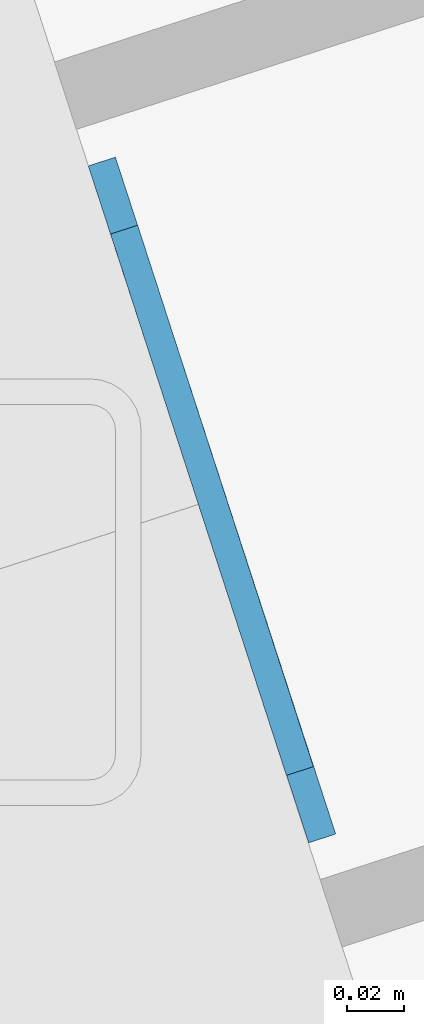
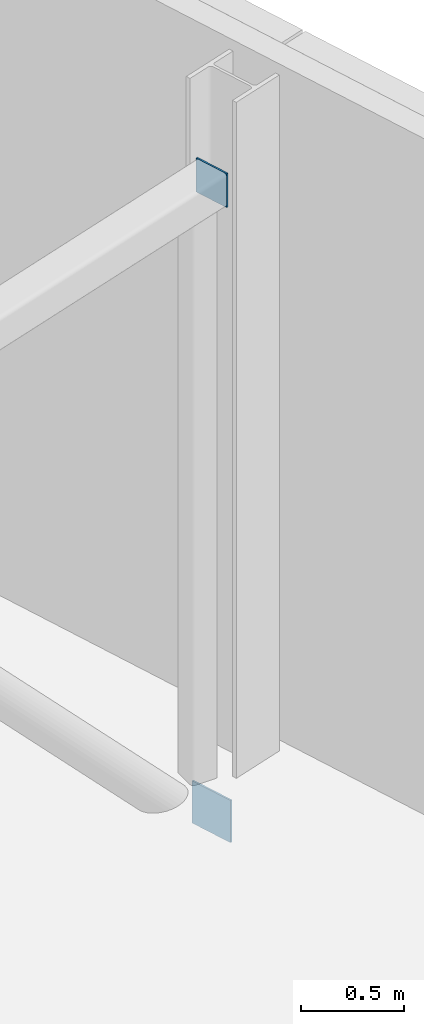
# One storey, part 43 of 52: 2 plates.
"""IFC4 building model written with IfcOpenShell, lengths in metres."""

from ifc_helpers import new_model, si_unit, direction, frame, origin, place, context, subcontext, project, spatial, polyline, outline, extrude, material, layer, layer_set, type_object, element, save


model = new_model("IFC4")

# Units and contexts
model_context = context("Model", 3, precision=1e-05, world=origin(), true_north=direction((0.0, 1.0)))
body_context = subcontext(model_context, "Body", "Model", "MODEL_VIEW")
ifc_project = project(units=[si_unit("LENGTHUNIT", "METRE"), si_unit("AREAUNIT", "SQUARE_METRE"), si_unit("VOLUMEUNIT", "CUBIC_METRE"), si_unit("PLANEANGLEUNIT", "RADIAN"), si_unit("MASSUNIT", "GRAM", prefix="KILO")], contexts=[model_context])

# Site, building, storey
site_placement = place(None, origin())
site = spatial("IfcSite", under=ifc_project, at=site_placement, CompositionType="ELEMENT")
building_placement = place(site_placement, origin())
building = spatial("IfcBuilding", under=site, at=building_placement, Name="Tuart Plaza Theatre", CompositionType="ELEMENT")
storey_placement = place(building_placement, frame((0.0, 0.0, 25.5)))
storey = spatial("IfcBuildingStorey", under=building, at=storey_placement, Name="L06", CompositionType="ELEMENT", Elevation=25.5)

# Plates
ifc_material = material(Name="Steel Grade C350L0", Category="steel")
ifc_layer = layer(ifc_material, 0.010009765625)
ifc_layer_set = layer_set([ifc_layer], Name="PLATE End cap 10 Steel Grade C350L0")
plate_type = type_object("IfcPlateType", Name="PLATE End cap 10 Steel Grade C350L0", PredefinedType="SHEET", material=ifc_layer_set)
plate_1_placement = place(storey_placement, frame((67.237060546875, 82.3251953125, -0.39990234375), z_axis=(0.95090484413, 0.309483404096, 0.0), x_axis=(-0.309483404096, 0.95090484413, 0.0)))
element("IfcPlate", 1, at=plate_1_placement, inside=storey, type_object=plate_type, Name="EP2", PredefinedType="SHEET", context=body_context, shape_type="SweptSolid", body=[
    extrude(outline(polyline([(0.0, 0.0), (0.25007020441422584, 0.0), (0.25007020441422584, 0.25), (0.0, 0.25), (0.0, 0.0)])), origin(), (0.0, 0.0, -1.0), 0.010009765625),
])
plate_2_placement = place(storey_placement, frame((67.229248046875, 82.348876953125, 3.346923828125), z_axis=(0.951096855055, 0.308892816854, 0.0), x_axis=(-0.308892816854, 0.951096855055, 0.0)))
element("IfcPlate", 2, at=plate_2_placement, inside=storey, type_object=plate_type, Name="EP4", PredefinedType="SHEET", context=body_context, shape_type="SweptSolid", body=[
    extrude(outline(polyline([(0.0, 0.0), (0.1999644367070575, 0.0), (0.1999644367070575, 0.20019531250000006), (0.0, 0.20019531250000006), (0.0, 0.0)])), origin(), (0.0, 0.0, -1.0), 0.010009765625),
])

save(model, "model.ifc")
